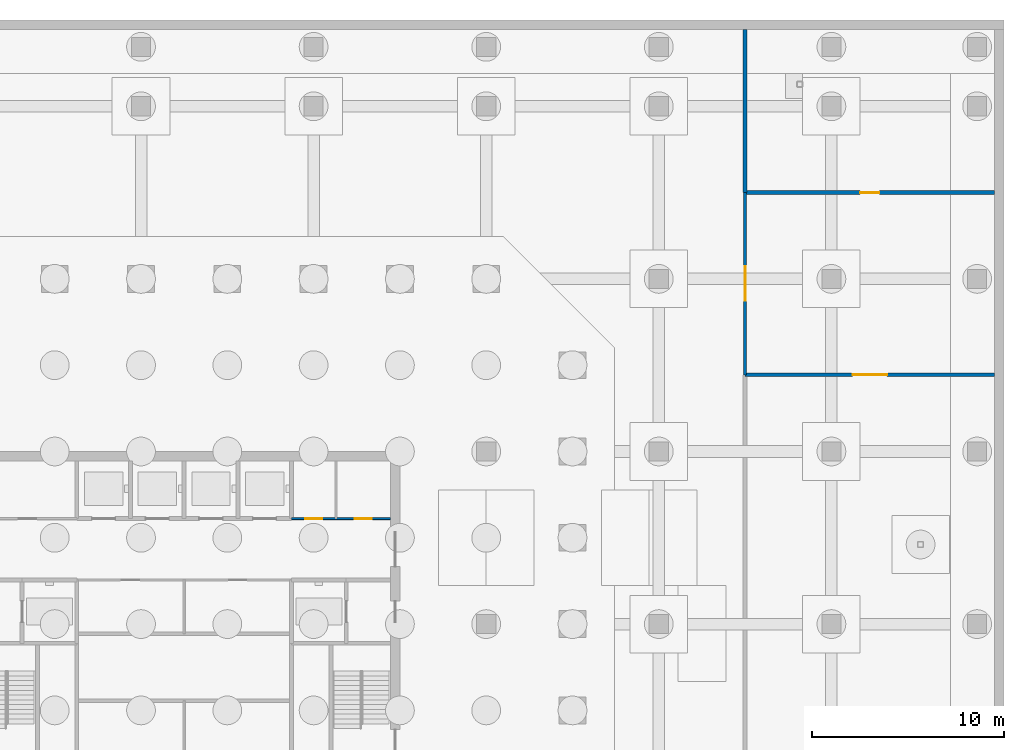
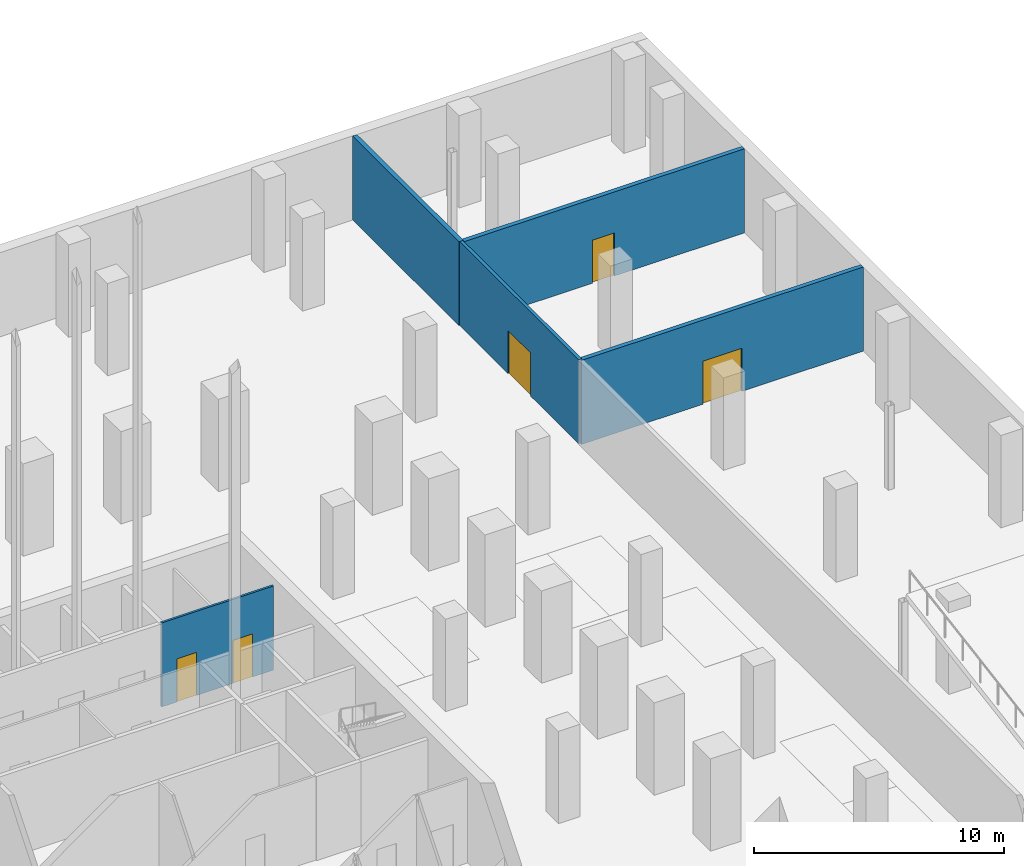
# One storey, part 20 of 37: 5 doors, 5 walls, 5 openings.
"""IFC4 building model written with IfcOpenShell, lengths in metres."""

from ifc_helpers import new_model, si_unit, direction, frame, frame_2d, origin, place, context, subcontext, project, spatial, rectangle, extrude, material, layer, layer_set, type_object, element, fill, save


model = new_model("IFC4")

# Units and contexts
model_context = context("Model", 3, precision=1e-05, world=origin(), true_north=direction((0.0, 1.0)))
body_context = subcontext(model_context, "Body", "Model", "MODEL_VIEW")
ifc_project = project(units=[si_unit("LENGTHUNIT", "METRE"), si_unit("AREAUNIT", "SQUARE_METRE"), si_unit("VOLUMEUNIT", "CUBIC_METRE"), si_unit("PLANEANGLEUNIT", "RADIAN"), si_unit("MASSUNIT", "GRAM", prefix="KILO")], contexts=[model_context])

# Site, building, storey
site_placement = place(None, origin())
site = spatial("IfcSite", under=ifc_project, at=site_placement, CompositionType="ELEMENT")
building_placement = place(site_placement, origin())
building = spatial("IfcBuilding", under=site, at=building_placement, Name="Quoin Convention Tower", CompositionType="ELEMENT")
storey_placement = place(building_placement, frame((0.0, 0.0, -9.0)))
storey = spatial("IfcBuildingStorey", under=building, at=storey_placement, Name="B2", CompositionType="ELEMENT", Elevation=-9.0)

# Wall, opening, door
ifc_material_1 = material(Name="Plasterboard")
ifc_layer_1 = layer(ifc_material_1, 0.012451171875, Name="Finish")
ifc_material_2 = material(Name="Steel stud framing", Category="steel")
ifc_layer_2 = layer(ifc_material_2, 0.175048828125, Name="Structure")
ifc_layer_3 = layer(ifc_material_1, 0.012451171875, Name="Finish")
ifc_layer_set_1 = layer_set([ifc_layer_1, ifc_layer_2, ifc_layer_3], Name="Steel stud framing")
wall_type_1 = type_object("IfcWallType", Name="Block wall 200", PredefinedType="PARTITIONING", material=ifc_layer_set_1)
wall_1_placement = place(storey_placement, frame((85.5, 76.0, 0.0), z_axis=(0.0, 0.0, 1.0), x_axis=(1.0, 0.0, 0.0)))
wall_1 = element("IfcWall", 1, at=wall_1_placement, inside=storey, type_object=wall_type_1, Name="pw-B2-030", PredefinedType="PARTITIONING", context=body_context, shape_type="SweptSolid", body=[
    extrude(rectangle(XDim=13.0, YDim=0.199951171875, at=frame_2d((6.5, 0.0))), origin(), (0.0, 0.0, 1.0), 4.10009765625),
])
opening_1_placement = place(wall_1_placement, frame((5.60009765625, 0.0, 0.0)))
opening_1 = element("IfcOpeningElement", 2, at=opening_1_placement, cuts=wall_1, Name="Opening DPDB2-08", PredefinedType="OPENING", context=body_context, shape_type="SweptSolid", body=[
    extrude(rectangle(XDim=1.800048828125, YDim=2.10009765625, at=frame_2d((0.89990234375, 1.050048828125))), frame((0.0, 0.10986328125, 0.0), z_axis=(0.0, -1.0, 0.0), x_axis=(1.0, 0.0, 0.0)), (0.0, 0.0, 1.0), 0.219970703125),
])
ifc_material_3 = material(Name="Steel door leaf", Category="steel")
door_type_1 = type_object("IfcDoorType", Name="Double leaf door 1800", OperationType="DOUBLE_DOOR_SINGLE_SWING", PredefinedType="DOOR", material=ifc_material_3)
door_1_placement = place(opening_1_placement, frame((1.800048828125, 0.0, 0.0), z_axis=(0.0, 0.0, 1.0), x_axis=(-1.0, 0.0, 0.0)))
door_1 = element("IfcDoor", 3, at=door_1_placement, inside=storey, type_object=door_type_1, Name="dr-B2-009", OperationType="DOUBLE_DOOR_SINGLE_SWING", OverallHeight=2.10009765625, OverallWidth=1.800048828125, PredefinedType="DOOR", context=body_context, shape_type="SweptSolid", body=[
    extrude(rectangle(XDim=1.800048828125, YDim=2.10009765625, at=frame_2d((0.89990234375, 1.050048828125))), frame((0.0, 0.02490234375, 0.0), z_axis=(0.0, -1.0, 0.0), x_axis=(1.0, 0.0, 0.0)), (0.0, 0.0, 1.0), 0.050048828125),
])
fill(opening_1, door_1)

# Wall, openings, doors
ifc_layer_4 = layer(ifc_material_1, 0.012451171875, Name="Finish")
ifc_layer_5 = layer(ifc_material_2, 0.074951171875, Name="Structure")
ifc_layer_6 = layer(ifc_material_1, 0.012451171875, Name="Finish")
ifc_layer_set_2 = layer_set([ifc_layer_4, ifc_layer_5, ifc_layer_6], Name="Steel stud framing")
wall_type_2 = type_object("IfcWallType", Name="Core partition wall", PredefinedType="PARTITIONING", material=ifc_layer_set_2)
wall_2_placement = place(storey_placement, frame((61.85009765625, 68.5, 0.0), z_axis=(0.0, 0.0, 1.0), x_axis=(1.0, 0.0, 0.0)))
wall_2 = element("IfcWall", 4, at=wall_2_placement, inside=storey, type_object=wall_type_2, Name="cr-C1-B2-h19000_16850", PredefinedType="PARTITIONING", context=body_context, shape_type="SweptSolid", body=[
    extrude(rectangle(XDim=5.14990234375, YDim=0.10009765625, at=frame_2d((2.574951171875, 0.0))), origin(), (0.0, 0.0, 1.0), 4.10009765625),
])
opening_2_placement = place(wall_2_placement, frame((3.28369140625, 0.0, 0.0)))
opening_2 = element("IfcOpeningElement", 5, at=opening_2_placement, cuts=wall_2, Name="Opening DCV0-08", PredefinedType="OPENING", context=body_context, shape_type="SweptSolid", body=[
    extrude(rectangle(XDim=0.89990234375, YDim=2.10009765625, at=frame_2d((0.449951171875, 1.050048828125))), frame((0.0, 0.06005859375, 0.0), z_axis=(0.0, -1.0, 0.0), x_axis=(1.0, 0.0, 0.0)), (0.0, 0.0, 1.0), 0.1201171875),
])
opening_3_placement = place(wall_2_placement, frame((0.708740234375, 0.0, 0.0)))
opening_3 = element("IfcOpeningElement", 6, at=opening_3_placement, cuts=wall_2, Name="Opening DCV0-05", PredefinedType="OPENING", context=body_context, shape_type="SweptSolid", body=[
    extrude(rectangle(XDim=0.89990234375, YDim=2.10009765625, at=frame_2d((0.449951171875, 1.050048828125))), frame((0.0, 0.06005859375, 0.0), z_axis=(0.0, -1.0, 0.0), x_axis=(1.0, 0.0, 0.0)), (0.0, 0.0, 1.0), 0.1201171875),
])
door_type_2 = type_object("IfcDoorType", Name="Core room door 900 x 2100", OperationType="SINGLE_SWING_LEFT", PredefinedType="DOOR", material=ifc_material_3)
door_2_placement = place(opening_2_placement, origin())
door_2 = element("IfcDoor", 7, at=door_2_placement, inside=storey, type_object=door_type_2, Name="cd-C1-B2-CNE0-lobB-CDB207", OperationType="SINGLE_SWING_RIGHT", OverallHeight=2.10009765625, OverallWidth=0.89990234375, PredefinedType="DOOR", context=body_context, shape_type="SweptSolid", body=[
    extrude(rectangle(XDim=0.89990234375, YDim=2.10009765625, at=frame_2d((0.449951171875, 1.050048828125))), frame((0.0, 0.02490234375, 0.0), z_axis=(0.0, -1.0, 0.0), x_axis=(1.0, 0.0, 0.0)), (0.0, 0.0, 1.0), 0.050048828125),
])
fill(opening_2, door_2)
door_3_placement = place(opening_3_placement, origin())
door_3 = element("IfcDoor", 8, at=door_3_placement, inside=storey, type_object=door_type_2, Name="cd-C1-B2-CNE1-lobB-CDB208", OperationType="SINGLE_SWING_LEFT", OverallHeight=2.10009765625, OverallWidth=0.89990234375, PredefinedType="DOOR", context=body_context, shape_type="SweptSolid", body=[
    extrude(rectangle(XDim=0.89990234375, YDim=2.10009765625, at=frame_2d((0.449951171875, 1.050048828125))), frame((0.0, 0.02490234375, 0.0), z_axis=(0.0, -1.0, 0.0), x_axis=(1.0, 0.0, 0.0)), (0.0, 0.0, 1.0), 0.050048828125),
])
fill(opening_3, door_3)

# Wall, opening, door
ifc_layer_7 = layer(ifc_material_1, 0.012451171875, Name="Finish")
ifc_layer_8 = layer(ifc_material_2, 0.125, Name="Structure")
ifc_layer_9 = layer(ifc_material_1, 0.012451171875, Name="Finish")
ifc_layer_set_3 = layer_set([ifc_layer_7, ifc_layer_8, ifc_layer_9], Name="Steel stud framing")
wall_type_3 = type_object("IfcWallType", Name="Partition wall 150", PredefinedType="PARTITIONING", material=ifc_layer_set_3)
wall_3_placement = place(storey_placement, frame((85.5, 76.0, 0.0), z_axis=(0.0, 0.0, 1.0), x_axis=(0.0, 1.0, 0.0)))
wall_3 = element("IfcWall", 9, at=wall_3_placement, inside=storey, type_object=wall_type_3, Name="pw-B2-031", PredefinedType="PARTITIONING", context=body_context, shape_type="SweptSolid", body=[
    extrude(rectangle(XDim=9.5, YDim=0.14990234375, at=frame_2d((4.75, 0.0))), origin(), (0.0, 0.0, 1.0), 4.10009765625),
])
opening_4_placement = place(wall_3_placement, frame((3.85009765625, 0.0, 0.0)))
opening_4 = element("IfcOpeningElement", 10, at=opening_4_placement, cuts=wall_3, Name="Opening DPDB2-09", PredefinedType="OPENING", context=body_context, shape_type="SweptSolid", body=[
    extrude(rectangle(XDim=1.800048828125, YDim=2.10009765625, at=frame_2d((0.89990234375, 1.050048828125))), frame((0.0, 0.0849609375, 0.0), z_axis=(0.0, -1.0, 0.0), x_axis=(1.0, 0.0, 0.0)), (0.0, 0.0, 1.0), 0.169921875),
])
door_4_placement = place(opening_4_placement, origin())
door_4 = element("IfcDoor", 11, at=door_4_placement, inside=storey, type_object=door_type_1, Name="dr-B2-010", OperationType="DOUBLE_DOOR_SINGLE_SWING", OverallHeight=2.10009765625, OverallWidth=1.800048828125, PredefinedType="DOOR", context=body_context, shape_type="SweptSolid", body=[
    extrude(rectangle(XDim=1.800048828125, YDim=2.10009765625, at=frame_2d((0.89990234375, 1.050048828125))), frame((0.0, 0.02490234375, 0.0), z_axis=(0.0, -1.0, 0.0), x_axis=(1.0, 0.0, 0.0)), (0.0, 0.0, 1.0), 0.050048828125),
])
fill(opening_4, door_4)

ifc_layer_10 = layer(ifc_material_1, 0.012451171875, Name="Finish")
ifc_layer_11 = layer(ifc_material_2, 0.175048828125, Name="Structure")
ifc_layer_12 = layer(ifc_material_1, 0.012451171875, Name="Finish")
ifc_layer_set_4 = layer_set([ifc_layer_10, ifc_layer_11, ifc_layer_12], Name="Steel stud framing")
wall_type_4 = type_object("IfcWallType", Name="Plant room wall 200", PredefinedType="PARTITIONING", material=ifc_layer_set_4)
wall_4_placement = place(storey_placement, frame((85.5, 85.5, 0.0), z_axis=(0.0, 0.0, 1.0), x_axis=(1.0, 0.0, 0.0)))
wall_4 = element("IfcWall", 12, at=wall_4_placement, inside=storey, type_object=wall_type_4, Name="pw-B2-037", PredefinedType="PARTITIONING", context=body_context, shape_type="SweptSolid", body=[
    extrude(rectangle(XDim=13.0, YDim=0.199951171875, at=frame_2d((6.5, 0.0))), origin(), (0.0, 0.0, 1.0), 4.10009765625),
])
opening_5_placement = place(wall_4_placement, frame((6.0, 0.0, 0.0)))
opening_5 = element("IfcOpeningElement", 13, at=opening_5_placement, cuts=wall_4, Name="Opening DPDB2-11", PredefinedType="OPENING", context=body_context, shape_type="SweptSolid", body=[
    extrude(rectangle(XDim=1.0, YDim=2.10009765625, at=frame_2d((0.5, 1.050048828125))), frame((0.0, 0.10986328125, 0.0), z_axis=(0.0, -1.0, 0.0), x_axis=(1.0, 0.0, 0.0)), (0.0, 0.0, 1.0), 0.219970703125),
])
door_type_3 = type_object("IfcDoorType", Name="Plant door 1000", OperationType="SINGLE_SWING_RIGHT", PredefinedType="DOOR", material=ifc_material_3)
door_5_placement = place(opening_5_placement, origin())
door_5 = element("IfcDoor", 14, at=door_5_placement, inside=storey, type_object=door_type_3, Name="dr-B2-008", OperationType="SINGLE_SWING_LEFT", OverallHeight=2.10009765625, OverallWidth=1.0, PredefinedType="DOOR", context=body_context, shape_type="SweptSolid", body=[
    extrude(rectangle(XDim=1.0, YDim=2.10009765625, at=frame_2d((0.5, 1.050048828125))), frame((0.0, 0.02490234375, 0.0), z_axis=(0.0, -1.0, 0.0), x_axis=(1.0, 0.0, 0.0)), (0.0, 0.0, 1.0), 0.050048828125),
])
fill(opening_5, door_5)

# Wall
wall_5_placement = place(storey_placement, frame((85.5, 85.5, 0.0), z_axis=(0.0, 0.0, 1.0), x_axis=(0.0, 1.0, 0.0)))
element("IfcWall", 15, at=wall_5_placement, inside=storey, type_object=wall_type_4, Name="pw-B2-038", PredefinedType="PARTITIONING", context=body_context, shape_type="SweptSolid", body=[
    extrude(rectangle(XDim=8.5, YDim=0.199951171875, at=frame_2d((4.25, 0.0))), origin(), (0.0, 0.0, 1.0), 4.10009765625),
])

save(model, "model.ifc")
